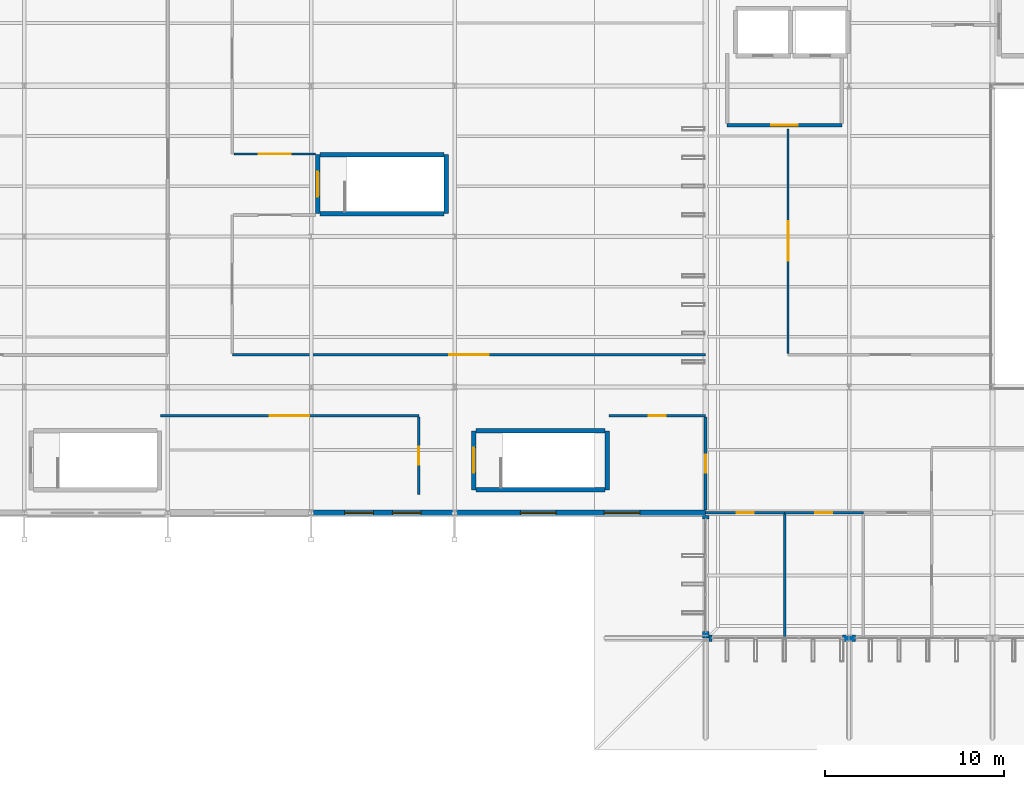
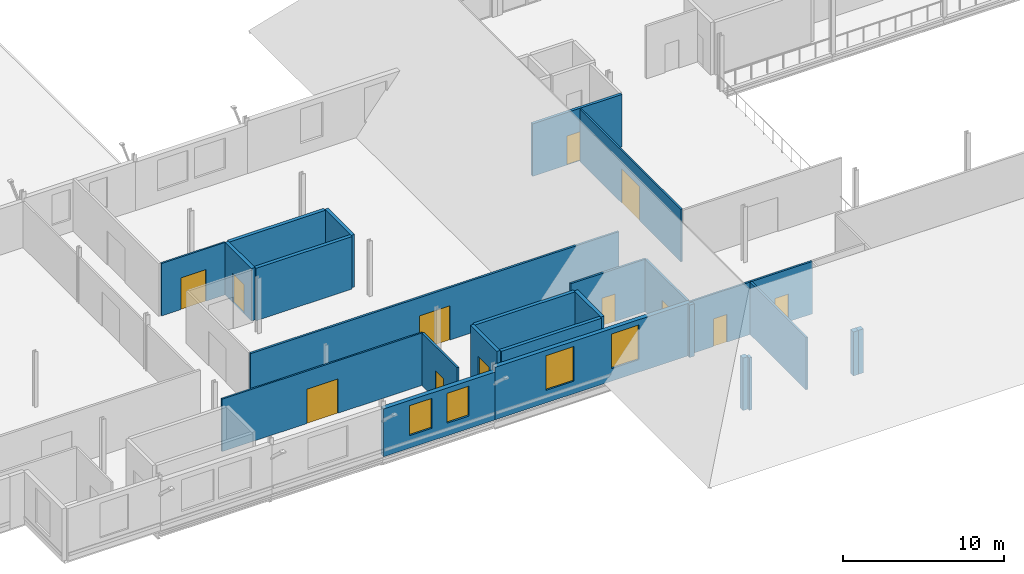
# One storey, part 80 of 93: 26 walls, 12 doors, 4 windows, 16 openings.
"""IFC4 building model written with IfcOpenShell, lengths in metres."""

from ifc_helpers import new_model, si_unit, direction, frame, frame_2d, origin, place, context, subcontext, project, spatial, rectangle, extrude, material, layer, layer_set, type_object, element, fill, save


model = new_model("IFC4")

# Units and contexts
model_context = context("Model", 3, precision=1e-05, world=origin(), true_north=direction((0.0, 1.0)))
body_context = subcontext(model_context, "Body", "Model", "MODEL_VIEW")
ifc_project = project(units=[si_unit("LENGTHUNIT", "METRE"), si_unit("AREAUNIT", "SQUARE_METRE"), si_unit("VOLUMEUNIT", "CUBIC_METRE"), si_unit("PLANEANGLEUNIT", "RADIAN"), si_unit("MASSUNIT", "GRAM", prefix="KILO")], contexts=[model_context])

# Site, building, storey
site_placement = place(None, origin())
site = spatial("IfcSite", under=ifc_project, at=site_placement, CompositionType="ELEMENT")
building_placement = place(site_placement, origin())
building = spatial("IfcBuilding", under=site, at=building_placement, Name="Vekula Escarpment Museum", CompositionType="ELEMENT")
storey_placement = place(building_placement, frame((0.0, 0.0, 22.199951171875)))
storey = spatial("IfcBuildingStorey", under=building, at=storey_placement, Name="L05", CompositionType="ELEMENT", Elevation=22.199951171875)

# Wall, openings, windows
ifc_material_1 = material(Name="Inkisi arkosic sandstone masonry", Category="masonry")
ifc_layer_1 = layer(ifc_material_1, 0.300048828125)
ifc_layer_set_1 = layer_set([ifc_layer_1], Name="Inkisi arkosic sandstone masonry")
wall_type_1 = type_object("IfcWallType", Name="WL-ALM-300", PredefinedType="SOLIDWALL", material=ifc_layer_set_1)
wall_1_placement = place(storey_placement, frame((70.0, 52.60009765625, 0.0), z_axis=(0.0, 0.0, 1.0), x_axis=(-1.0, 0.0, 0.0)))
wall_1 = element("IfcWall", 1, at=wall_1_placement, inside=storey, type_object=wall_type_1, Name="Exterior Wall WL-EXT-L05-0815", PredefinedType="SOLIDWALL", context=body_context, shape_type="SweptSolid", body=[
    extrude(rectangle(XDim=14.0, YDim=0.300048828125, at=frame_2d((7.0, 0.0))), origin(), (0.0, 0.0, 1.0), 3.97998046875),
])
opening_1_placement = place(wall_1_placement, frame((3.666748046875, 0.0, 0.949951171875)))
opening_1 = element("IfcOpeningElement", 2, at=opening_1_placement, cuts=wall_1, Name="Opening WN-03", PredefinedType="OPENING", context=body_context, shape_type="SweptSolid", body=[
    extrude(rectangle(XDim=2.0, YDim=2.6298828125, at=frame_2d((1.0, 1.31494140625))), frame((0.0, 0.159912109375, 0.0), z_axis=(0.0, -1.0, 0.0), x_axis=(1.0, 0.0, 0.0)), (0.0, 0.0, 1.0), 0.320068359375),
])
opening_2_placement = place(wall_1_placement, frame((8.333251953125, 0.0, 0.949951171875)))
opening_2 = element("IfcOpeningElement", 3, at=opening_2_placement, cuts=wall_1, Name="Opening WN-03", PredefinedType="OPENING", context=body_context, shape_type="SweptSolid", body=[
    extrude(rectangle(XDim=2.0, YDim=2.6298828125, at=frame_2d((1.0, 1.31494140625))), frame((0.0, 0.159912109375, 0.0), z_axis=(0.0, -1.0, 0.0), x_axis=(1.0, 0.0, 0.0)), (0.0, 0.0, 1.0), 0.320068359375),
])
ifc_material_2 = material(Name="Double solar-control low-E glass", Category="glass")
window_type_1 = type_object("IfcWindowType", Name="WN-PLINTH-20x36", PartitioningType="DOUBLE_PANEL_VERTICAL", PredefinedType="WINDOW", material=ifc_material_2)
window_1_placement = place(opening_1_placement, origin())
window_1 = element("IfcWindow", 4, at=window_1_placement, inside=storey, type_object=window_type_1, Name="Window L05-0453", OverallHeight=2.6298828125, OverallWidth=2.0, PartitioningType="SINGLE_PANEL", PredefinedType="WINDOW", context=body_context, shape_type="SweptSolid", body=[
    extrude(rectangle(XDim=2.0, YDim=2.6298828125, at=frame_2d((1.0, 1.31494140625))), frame((0.0, 0.030029296875, 0.0), z_axis=(0.0, -1.0, 0.0), x_axis=(1.0, 0.0, 0.0)), (0.0, 0.0, 1.0), 0.06005859375),
])
fill(opening_1, window_1)
window_2_placement = place(opening_2_placement, origin())
window_2 = element("IfcWindow", 5, at=window_2_placement, inside=storey, type_object=window_type_1, Name="Window L05-0454", OverallHeight=2.6298828125, OverallWidth=2.0, PartitioningType="SINGLE_PANEL", PredefinedType="WINDOW", context=body_context, shape_type="SweptSolid", body=[
    extrude(rectangle(XDim=2.0, YDim=2.6298828125, at=frame_2d((1.0, 1.31494140625))), frame((0.0, 0.030029296875, 0.0), z_axis=(0.0, -1.0, 0.0), x_axis=(1.0, 0.0, 0.0)), (0.0, 0.0, 1.0), 0.06005859375),
])
fill(opening_2, window_2)

ifc_material_3 = material(Name="Inkisi arkosic sandstone masonry", Category="masonry")
ifc_layer_2 = layer(ifc_material_3, 0.320068359375)
ifc_layer_set_2 = layer_set([ifc_layer_2], Name="Inkisi arkosic sandstone masonry")
wall_type_2 = type_object("IfcWallType", Name="WL-ALM-320", PredefinedType="SOLIDWALL", material=ifc_layer_set_2)
wall_2_placement = place(storey_placement, frame((56.0, 52.60009765625, 0.0), z_axis=(0.0, 0.0, 1.0), x_axis=(-1.0, 0.0, 0.0)))
wall_2 = element("IfcWall", 6, at=wall_2_placement, inside=storey, type_object=wall_type_2, Name="Exterior Wall WL-EXT-L05-0814", PredefinedType="SOLIDWALL", context=body_context, shape_type="SweptSolid", body=[
    extrude(rectangle(XDim=8.0, YDim=0.320068359375, at=frame_2d((4.0, 0.0))), origin(), (0.0, 0.0, 1.0), 3.625),
])
opening_3_placement = place(wall_2_placement, frame((1.86669921875, 0.0, 0.949951171875)))
opening_3 = element("IfcOpeningElement", 7, at=opening_3_placement, cuts=wall_2, Name="Opening WN-01", PredefinedType="OPENING", context=body_context, shape_type="SweptSolid", body=[
    extrude(rectangle(XDim=1.60009765625, YDim=2.27001953125, at=frame_2d((0.800048828125, 1.135009765625))), frame((0.0, 0.169921875, 0.0), z_axis=(0.0, -1.0, 0.0), x_axis=(1.0, 0.0, 0.0)), (0.0, 0.0, 1.0), 0.340087890625),
])
opening_4_placement = place(wall_2_placement, frame((4.533203125, 0.0, 0.949951171875)))
opening_4 = element("IfcOpeningElement", 8, at=opening_4_placement, cuts=wall_2, Name="Opening WN-01", PredefinedType="OPENING", context=body_context, shape_type="SweptSolid", body=[
    extrude(rectangle(XDim=1.60009765625, YDim=2.27001953125, at=frame_2d((0.800048828125, 1.135009765625))), frame((0.0, 0.169921875, 0.0), z_axis=(0.0, -1.0, 0.0), x_axis=(1.0, 0.0, 0.0)), (0.0, 0.0, 1.0), 0.340087890625),
])
ifc_material_4 = material(Name="Double solar-control low-E glass", Category="glass")
window_type_2 = type_object("IfcWindowType", Name="WN-PLINTH-16x28", PartitioningType="SINGLE_PANEL", PredefinedType="WINDOW", material=ifc_material_4)
window_3_placement = place(opening_3_placement, origin())
window_3 = element("IfcWindow", 9, at=window_3_placement, inside=storey, type_object=window_type_2, Name="Window L05-0451", OverallHeight=2.27001953125, OverallWidth=1.60009765625, PartitioningType="SINGLE_PANEL", PredefinedType="WINDOW", context=body_context, shape_type="SweptSolid", body=[
    extrude(rectangle(XDim=1.60009765625, YDim=2.27001953125, at=frame_2d((0.800048828125, 1.135009765625))), frame((0.0, 0.030029296875, 0.0), z_axis=(0.0, -1.0, 0.0), x_axis=(1.0, 0.0, 0.0)), (0.0, 0.0, 1.0), 0.06005859375),
])
fill(opening_3, window_3)
window_4_placement = place(opening_4_placement, origin())
window_4 = element("IfcWindow", 10, at=window_4_placement, inside=storey, type_object=window_type_2, Name="Window L05-0452", OverallHeight=2.27001953125, OverallWidth=1.60009765625, PartitioningType="SINGLE_PANEL", PredefinedType="WINDOW", context=body_context, shape_type="SweptSolid", body=[
    extrude(rectangle(XDim=1.60009765625, YDim=2.27001953125, at=frame_2d((0.800048828125, 1.135009765625))), frame((0.0, 0.030029296875, 0.0), z_axis=(0.0, -1.0, 0.0), x_axis=(1.0, 0.0, 0.0)), (0.0, 0.0, 1.0), 0.06005859375),
])
fill(opening_4, window_4)

# Walls
ifc_material_5 = material(Name="Inkisi arkosic sandstone masonry", Category="masonry")
ifc_layer_3 = layer(ifc_material_5, 0.35009765625)
ifc_layer_set_3 = layer_set([ifc_layer_3], Name="Inkisi arkosic sandstone masonry")
wall_type_3 = type_object("IfcWallType", Name="WL-ALM-350", PredefinedType="SOLIDWALL", material=ifc_layer_set_3)
wall_3_placement = place(storey_placement, frame((70.0, 52.446044921875, 0.0), z_axis=(0.0, 0.0, 1.0), x_axis=(0.0, -1.0, 0.0)))
element("IfcWall", 11, at=wall_3_placement, inside=storey, type_object=wall_type_3, Name="Facade Jamb Pier L05-0816A", PredefinedType="SOLIDWALL", context=body_context, shape_type="SweptSolid", body=[
    extrude(rectangle(XDim=0.2060546875, YDim=0.35009765625, at=frame_2d((0.10302734375, 0.0))), origin(), (0.0, 0.0, 1.0), 3.97998046875),
])
wall_4_placement = place(storey_placement, frame((70.0, 45.9599609375, 0.0), z_axis=(0.0, 0.0, 1.0), x_axis=(0.0, -1.0, 0.0)))
element("IfcWall", 12, at=wall_4_placement, inside=storey, type_object=wall_type_3, Name="Facade Jamb Pier L05-0817B", PredefinedType="SOLIDWALL", context=body_context, shape_type="SweptSolid", body=[
    extrude(rectangle(XDim=0.35986328125, YDim=0.35009765625, at=frame_2d((0.179931640625, 0.0))), origin(), (0.0, 0.0, 1.0), 3.97998046875),
])
wall_5_placement = place(storey_placement, frame((70.178955078125, 45.60009765625, 0.0), z_axis=(0.0, 0.0, 1.0), x_axis=(1.0, 0.0, 0.0)))
element("IfcWall", 13, at=wall_5_placement, inside=storey, type_object=wall_type_3, Name="Facade Jamb Pier L05-0818A", PredefinedType="SOLIDWALL", context=body_context, shape_type="SweptSolid", body=[
    extrude(rectangle(XDim=0.18115234375, YDim=0.35009765625, at=frame_2d((0.090576171875, 0.0))), origin(), (0.0, 0.0, 1.0), 3.97998046875),
])
for number, where, z_axis, x_axis, name in (
    (14, (77.639892578125, 45.60009765625, 0.0), (0.0, 0.0, 1.0), (1.0, 0.0, 0.0), "Facade Jamb Pier L05-0819B"),
    (15, (78.0, 45.60009765625, 0.0), (0.0, 0.0, 1.0), (1.0, 0.0, 0.0), "Facade Jamb Pier L05-0820A"),
):
    element("IfcWall", number, at=place(storey_placement, frame(where, z_axis=z_axis, x_axis=x_axis)), inside=storey, type_object=wall_type_3, Name=name, PredefinedType="SOLIDWALL", context=body_context, shape_type="SweptSolid", body=[
        extrude(rectangle(XDim=0.360107421875, YDim=0.35009765625, at=frame_2d((0.18017578125, 0.0))), origin(), (0.0, 0.0, 1.0), 3.3349609375),
    ])

# Wall, opening, door
ifc_material_6 = material(Name="Concrete C35/45", Category="concrete")
ifc_layer_4 = layer(ifc_material_6, 0.25)
ifc_layer_set_4 = layer_set([ifc_layer_4], Name="Concrete C35/45")
wall_type_4 = type_object("IfcWallType", Name="WL-CORE-250", PredefinedType="SHEAR", material=ifc_layer_set_4)
wall_6_placement = place(storey_placement, frame((57.074951171875, 53.875, 0.0), z_axis=(0.0, 0.0, 1.0), x_axis=(0.0, 1.0, 0.0)))
wall_6 = element("IfcWall", 16, at=wall_6_placement, inside=storey, type_object=wall_type_4, Name="Stair Core Wall ST-01 L05 W", PredefinedType="SHEAR", context=body_context, shape_type="SweptSolid", body=[
    extrude(rectangle(XDim=3.2900390625, YDim=0.25, at=frame_2d((1.64501953125, 0.0))), origin(), (0.0, 0.0, 1.0), 3.97998046875),
])
opening_5_placement = place(wall_6_placement, frame((0.945068359375, 0.0, 0.0)))
opening_5 = element("IfcOpeningElement", 17, at=opening_5_placement, cuts=wall_6, Name="Opening DR-FD60", PredefinedType="OPENING", context=body_context, shape_type="SweptSolid", body=[
    extrude(rectangle(XDim=1.39990234375, YDim=2.199951171875, at=frame_2d((0.699951171875, 1.10009765625))), frame((0.0, 0.135009765625, 0.0), z_axis=(0.0, -1.0, 0.0), x_axis=(1.0, 0.0, 0.0)), (0.0, 0.0, 1.0), 0.27001953125),
])
ifc_material_7 = material(Name="Fire-rated steel stair door", Category="steel")
door_type_1 = type_object("IfcDoorType", Name="DR-STAIR-1400x2200", OperationType="NOTDEFINED", PredefinedType="DOOR", material=ifc_material_7)
door_1_placement = place(opening_5_placement, origin())
door_1 = element("IfcDoor", 18, at=door_1_placement, inside=storey, type_object=door_type_1, Name="Protected Exit Stair Door ST-01 L05", OperationType="SINGLE_SWING_LEFT", OverallHeight=2.199951171875, OverallWidth=1.39990234375, PredefinedType="DOOR", context=body_context, shape_type="SweptSolid", body=[
    extrude(rectangle(XDim=1.39990234375, YDim=2.199951171875, at=frame_2d((0.699951171875, 1.10009765625))), frame((0.0, 0.02490234375, 0.0), z_axis=(0.0, -1.0, 0.0), x_axis=(1.0, 0.0, 0.0)), (0.0, 0.0, 1.0), 0.050048828125),
])
fill(opening_5, door_1)

# Walls
wall_7_placement = place(storey_placement, frame((64.52490234375, 53.875, 0.0), z_axis=(0.0, 0.0, 1.0), x_axis=(0.0, 1.0, 0.0)))
element("IfcWall", 19, at=wall_7_placement, inside=storey, type_object=wall_type_4, Name="Stair Core Wall ST-01 L05 E", PredefinedType="SHEAR", context=body_context, shape_type="SweptSolid", body=[
    extrude(rectangle(XDim=3.2900390625, YDim=0.25, at=frame_2d((1.64501953125, 0.0))), origin(), (0.0, 0.0, 1.0), 3.97998046875),
])
for number, where, z_axis, x_axis, name in (
    (20, (57.2041015625, 53.875, 0.0), (0.0, 0.0, 1.0), (1.0, 0.0, 0.0), "Stair Core Wall ST-01 L05 S"),
    (21, (57.2041015625, 57.1650390625, 0.0), (0.0, 0.0, 1.0), (1.0, 0.0, 0.0), "Stair Core Wall ST-01 L05 N"),
):
    element("IfcWall", number, at=place(storey_placement, frame(where, z_axis=z_axis, x_axis=x_axis)), inside=storey, type_object=wall_type_4, Name=name, PredefinedType="SHEAR", context=body_context, shape_type="SweptSolid", body=[
        extrude(rectangle(XDim=7.19189453125, YDim=0.25, at=frame_2d((3.595947265625, 0.0))), origin(), (0.0, 0.0, 1.0), 3.97998046875),
    ])

# Wall, opening, door
wall_8_placement = place(storey_placement, frame((48.375, 69.27490234375, 0.0), z_axis=(0.0, 0.0, 1.0), x_axis=(0.0, 1.0, 0.0)))
wall_8 = element("IfcWall", 22, at=wall_8_placement, inside=storey, type_object=wall_type_4, Name="Stair Core Wall ST-10 L05 W", PredefinedType="SHEAR", context=body_context, shape_type="SweptSolid", body=[
    extrude(rectangle(XDim=3.2900390625, YDim=0.25, at=frame_2d((1.64501953125, 0.0))), origin(), (0.0, 0.0, 1.0), 3.97998046875),
])
opening_6_placement = place(wall_8_placement, frame((0.945068359375, 0.0, 0.0)))
opening_6 = element("IfcOpeningElement", 23, at=opening_6_placement, cuts=wall_8, Name="Opening DR-FD60", PredefinedType="OPENING", context=body_context, shape_type="SweptSolid", body=[
    extrude(rectangle(XDim=1.39990234375, YDim=2.199951171875, at=frame_2d((0.699951171875, 1.10009765625))), frame((0.0, 0.135009765625, 0.0), z_axis=(0.0, -1.0, 0.0), x_axis=(1.0, 0.0, 0.0)), (0.0, 0.0, 1.0), 0.27001953125),
])
door_2_placement = place(opening_6_placement, origin())
door_2 = element("IfcDoor", 24, at=door_2_placement, inside=storey, type_object=door_type_1, Name="Protected Exit Stair Door ST-10 L05", OperationType="SINGLE_SWING_LEFT", OverallHeight=2.199951171875, OverallWidth=1.39990234375, PredefinedType="DOOR", context=body_context, shape_type="SweptSolid", body=[
    extrude(rectangle(XDim=1.39990234375, YDim=2.199951171875, at=frame_2d((0.699951171875, 1.10009765625))), frame((0.0, 0.02490234375, 0.0), z_axis=(0.0, -1.0, 0.0), x_axis=(1.0, 0.0, 0.0)), (0.0, 0.0, 1.0), 0.050048828125),
])
fill(opening_6, door_2)

# Walls
wall_9_placement = place(storey_placement, frame((55.52490234375, 69.27490234375, 0.0), z_axis=(0.0, 0.0, 1.0), x_axis=(0.0, 1.0, 0.0)))
element("IfcWall", 25, at=wall_9_placement, inside=storey, type_object=wall_type_4, Name="Stair Core Wall ST-10 L05 E", PredefinedType="SHEAR", context=body_context, shape_type="SweptSolid", body=[
    extrude(rectangle(XDim=3.2900390625, YDim=0.25, at=frame_2d((1.64501953125, 0.0))), origin(), (0.0, 0.0, 1.0), 3.97998046875),
])
for number, where, z_axis, x_axis, name in (
    (26, (48.50390625, 69.27490234375, 0.0), (0.0, 0.0, 1.0), (1.0, 0.0, 0.0), "Stair Core Wall ST-10 L05 S"),
    (27, (48.50390625, 72.56494140625, 0.0), (0.0, 0.0, 1.0), (1.0, 0.0, 0.0), "Stair Core Wall ST-10 L05 N"),
):
    element("IfcWall", number, at=place(storey_placement, frame(where, z_axis=z_axis, x_axis=x_axis)), inside=storey, type_object=wall_type_4, Name=name, PredefinedType="SHEAR", context=body_context, shape_type="SweptSolid", body=[
        extrude(rectangle(XDim=6.89208984375, YDim=0.25, at=frame_2d((3.446044921875, 0.0))), origin(), (0.0, 0.0, 1.0), 3.97998046875),
    ])

# Wall, opening, door
ifc_material_8 = material(Name="Concrete C35/45", Category="concrete")
ifc_layer_5 = layer(ifc_material_8, 0.199951171875)
ifc_layer_set_5 = layer_set([ifc_layer_5], Name="Concrete C35/45")
wall_type_5 = type_object("IfcWallType", Name="WL-FFL-200", PredefinedType="PARTITIONING", material=ifc_layer_set_5)
wall_10_placement = place(storey_placement, frame((71.199951171875, 74.199951171875, 0.0), z_axis=(0.0, 0.0, 1.0), x_axis=(1.0, 0.0, 0.0)))
wall_10 = element("IfcWall", 28, at=wall_10_placement, inside=storey, type_object=wall_type_5, Name="Lift Lobby Wall LP-01 L05 S", PredefinedType="PARTITIONING", context=body_context, shape_type="SweptSolid", body=[
    extrude(rectangle(XDim=6.400146484375, YDim=0.199951171875, at=frame_2d((3.2001953125, 0.0))), origin(), (0.0, 0.0, 1.0), 3.97998046875),
])
opening_7_placement = place(wall_10_placement, frame((2.449951171875, 0.0, 0.0)))
opening_7 = element("IfcOpeningElement", 29, at=opening_7_placement, cuts=wall_10, Name="Opening DR-FD60L", PredefinedType="OPENING", context=body_context, shape_type="SweptSolid", body=[
    extrude(rectangle(XDim=1.5, YDim=2.199951171875, at=frame_2d((0.75, 1.10009765625))), frame((0.0, 0.10986328125, 0.0), z_axis=(0.0, -1.0, 0.0), x_axis=(1.0, 0.0, 0.0)), (0.0, 0.0, 1.0), 0.219970703125),
])
ifc_material_9 = material(Name="Fire-rated glazed lobby door", Category="steel")
door_type_2 = type_object("IfcDoorType", Name="DR-FFLOB-1500x2200", OperationType="NOTDEFINED", PredefinedType="DOOR", material=ifc_material_9)
door_3_placement = place(opening_7_placement, origin())
door_3 = element("IfcDoor", 30, at=door_3_placement, inside=storey, type_object=door_type_2, Name="Lift Lobby Fire Door LP-01 L05", OperationType="SINGLE_SWING_LEFT", OverallHeight=2.199951171875, OverallWidth=1.5, PredefinedType="DOOR", context=body_context, shape_type="SweptSolid", body=[
    extrude(rectangle(XDim=1.5, YDim=2.199951171875, at=frame_2d((0.75, 1.10009765625))), frame((0.0, 0.02490234375, 0.0), z_axis=(0.0, -1.0, 0.0), x_axis=(1.0, 0.0, 0.0)), (0.0, 0.0, 1.0), 0.050048828125),
])
fill(opening_7, door_3)

ifc_material_10 = material(Name="Lightweight studio partition", Category="gypsum")
ifc_layer_6 = layer(ifc_material_10, 0.1201171875)
ifc_layer_set_6 = layer_set([ifc_layer_6], Name="Lightweight studio partition")
wall_type_6 = type_object("IfcWallType", Name="WL-PART-120", PredefinedType="PARTITIONING", material=ifc_layer_set_6)
wall_11_placement = place(storey_placement, frame((39.60009765625, 58.0, 0.0), z_axis=(0.0, 0.0, 1.0), x_axis=(1.0, 0.0, 0.0)))
wall_11 = element("IfcWall", 31, at=wall_11_placement, inside=storey, type_object=wall_type_6, Name="Interior Partition WL-INT-L05-0003", PredefinedType="PARTITIONING", context=body_context, shape_type="SweptSolid", body=[
    extrude(rectangle(XDim=14.39990234375, YDim=0.1201171875, at=frame_2d((7.199951171875, 0.0))), origin(), (0.0, 0.0, 1.0), 3.97998046875),
])
opening_8_placement = place(wall_11_placement, frame((6.10009765625, 0.0, 0.0)))
opening_8 = element("IfcOpeningElement", 32, at=opening_8_placement, cuts=wall_11, Name="Opening DR-GL22", PredefinedType="OPENING", context=body_context, shape_type="SweptSolid", body=[
    extrude(rectangle(XDim=2.199951171875, YDim=2.60009765625, at=frame_2d((1.10009765625, 1.300048828125))), frame((0.0, 0.070068359375, 0.0), z_axis=(0.0, -1.0, 0.0), x_axis=(1.0, 0.0, 0.0)), (0.0, 0.0, 1.0), 0.14013671875),
])
ifc_material_11 = material(Name="Double acoustic timber gallery door", Category="wood")
door_type_3 = type_object("IfcDoorType", Name="DR-GAL-2200x2600", OperationType="NOTDEFINED", PredefinedType="DOOR", material=ifc_material_11)
door_4_placement = place(opening_8_placement, origin())
door_4 = element("IfcDoor", 33, at=door_4_placement, inside=storey, type_object=door_type_3, Name="Interior Door L05-003", OperationType="SINGLE_SWING_LEFT", OverallHeight=2.60009765625, OverallWidth=2.199951171875, PredefinedType="DOOR", context=body_context, shape_type="SweptSolid", body=[
    extrude(rectangle(XDim=2.199951171875, YDim=2.60009765625, at=frame_2d((1.10009765625, 1.300048828125))), frame((0.0, 0.02490234375, 0.0), z_axis=(0.0, -1.0, 0.0), x_axis=(1.0, 0.0, 0.0)), (0.0, 0.0, 1.0), 0.050048828125),
])
fill(opening_8, door_4)

wall_12_placement = place(storey_placement, frame((43.68408203125, 72.60009765625, 0.0), z_axis=(0.0, 0.0, 1.0), x_axis=(1.0, 0.0, 0.0)))
wall_12 = element("IfcWall", 34, at=wall_12_placement, inside=storey, type_object=wall_type_6, Name="Interior Partition WL-INT-L05-0009", PredefinedType="PARTITIONING", context=body_context, shape_type="SweptSolid", body=[
    extrude(rectangle(XDim=4.56591796875, YDim=0.1201171875, at=frame_2d((2.282958984375, 0.0))), origin(), (0.0, 0.0, 1.0), 3.97998046875),
])
opening_9_placement = place(wall_12_placement, frame((1.383056640625, 0.0, 0.0)))
opening_9 = element("IfcOpeningElement", 35, at=opening_9_placement, cuts=wall_12, Name="Opening DR-GL18", PredefinedType="OPENING", context=body_context, shape_type="SweptSolid", body=[
    extrude(rectangle(XDim=1.800048828125, YDim=2.39990234375, at=frame_2d((0.89990234375, 1.199951171875))), frame((0.0, 0.070068359375, 0.0), z_axis=(0.0, -1.0, 0.0), x_axis=(1.0, 0.0, 0.0)), (0.0, 0.0, 1.0), 0.14013671875),
])
ifc_material_12 = material(Name="Double glazed gallery portal door", Category="steel")
door_type_4 = type_object("IfcDoorType", Name="DR-GAL-1800x2400", OperationType="NOTDEFINED", PredefinedType="DOOR", material=ifc_material_12)
door_5_placement = place(opening_9_placement, origin())
door_5 = element("IfcDoor", 36, at=door_5_placement, inside=storey, type_object=door_type_4, Name="Interior Door L05-009", OperationType="SINGLE_SWING_LEFT", OverallHeight=2.39990234375, OverallWidth=1.800048828125, PredefinedType="DOOR", context=body_context, shape_type="SweptSolid", body=[
    extrude(rectangle(XDim=1.800048828125, YDim=2.39990234375, at=frame_2d((0.89990234375, 1.199951171875))), frame((0.0, 0.02490234375, 0.0), z_axis=(0.0, -1.0, 0.0), x_axis=(1.0, 0.0, 0.0)), (0.0, 0.0, 1.0), 0.050048828125),
])
fill(opening_9, door_5)

wall_13_placement = place(storey_placement, frame((74.60009765625, 61.47900390625, 0.0), z_axis=(0.0, 0.0, 1.0), x_axis=(0.0, 1.0, 0.0)))
wall_13 = element("IfcWall", 37, at=wall_13_placement, inside=storey, type_object=wall_type_6, Name="Interior Partition WL-INT-L05-0015", PredefinedType="PARTITIONING", context=body_context, shape_type="SweptSolid", body=[
    extrude(rectangle(XDim=12.52099609375, YDim=0.1201171875, at=frame_2d((6.260498046875, 0.0))), origin(), (0.0, 0.0, 1.0), 3.97998046875),
])
opening_10_placement = place(wall_13_placement, frame((5.160400390625, 0.0, 0.0)))
opening_10 = element("IfcOpeningElement", 38, at=opening_10_placement, cuts=wall_13, Name="Opening DR-GL22", PredefinedType="OPENING", context=body_context, shape_type="SweptSolid", body=[
    extrude(rectangle(XDim=2.199951171875, YDim=2.60009765625, at=frame_2d((1.10009765625, 1.300048828125))), frame((0.0, 0.070068359375, 0.0), z_axis=(0.0, -1.0, 0.0), x_axis=(1.0, 0.0, 0.0)), (0.0, 0.0, 1.0), 0.14013671875),
])
door_6_placement = place(opening_10_placement, origin())
door_6 = element("IfcDoor", 39, at=door_6_placement, inside=storey, type_object=door_type_3, Name="Interior Door L05-015", OperationType="SINGLE_SWING_LEFT", OverallHeight=2.60009765625, OverallWidth=2.199951171875, PredefinedType="DOOR", context=body_context, shape_type="SweptSolid", body=[
    extrude(rectangle(XDim=2.199951171875, YDim=2.60009765625, at=frame_2d((1.10009765625, 1.300048828125))), frame((0.0, 0.02490234375, 0.0), z_axis=(0.0, -1.0, 0.0), x_axis=(1.0, 0.0, 0.0)), (0.0, 0.0, 1.0), 0.050048828125),
])
fill(opening_10, door_6)

ifc_material_13 = material(Name="Moisture-resistant wet-room partition", Category="gypsum")
ifc_layer_7 = layer(ifc_material_13, 0.139892578125)
ifc_layer_set_7 = layer_set([ifc_layer_7], Name="Moisture-resistant wet-room partition")
wall_type_7 = type_object("IfcWallType", Name="WL-PART-140", PredefinedType="PARTITIONING", material=ifc_layer_set_7)
wall_14_placement = place(storey_placement, frame((70.0, 52.60009765625, 0.0), z_axis=(0.0, 0.0, 1.0), x_axis=(1.0, 0.0, 0.0)))
wall_14 = element("IfcWall", 40, at=wall_14_placement, inside=storey, type_object=wall_type_7, Name="Interior Partition WL-INT-L05-0029", PredefinedType="PARTITIONING", context=body_context, shape_type="SweptSolid", body=[
    extrude(rectangle(XDim=4.39990234375, YDim=0.139892578125, at=frame_2d((2.199951171875, 0.0))), origin(), (0.0, 0.0, 1.0), 3.97998046875),
])
opening_11_placement = place(wall_14_placement, frame((1.72509765625, 0.0, 0.0)))
opening_11 = element("IfcOpeningElement", 41, at=opening_11_placement, cuts=wall_14, Name="Opening DR-WC09", PredefinedType="OPENING", context=body_context, shape_type="SweptSolid", body=[
    extrude(rectangle(XDim=0.949951171875, YDim=2.10009765625, at=frame_2d((0.47509765625, 1.050048828125))), frame((0.0, 0.079833984375, 0.0), z_axis=(0.0, -1.0, 0.0), x_axis=(1.0, 0.0, 0.0)), (0.0, 0.0, 1.0), 0.159912109375),
])
ifc_material_14 = material(Name="Laminate washroom door", Category="wood")
door_type_5 = type_object("IfcDoorType", Name="DR-WC-0950x2100", OperationType="NOTDEFINED", PredefinedType="DOOR", material=ifc_material_14)
door_7_placement = place(opening_11_placement, origin())
door_7 = element("IfcDoor", 42, at=door_7_placement, inside=storey, type_object=door_type_5, Name="Interior Door L05-029", OperationType="SINGLE_SWING_LEFT", OverallHeight=2.10009765625, OverallWidth=0.949951171875, PredefinedType="DOOR", context=body_context, shape_type="SweptSolid", body=[
    extrude(rectangle(XDim=0.949951171875, YDim=2.10009765625, at=frame_2d((0.47509765625, 1.050048828125))), frame((0.0, 0.02490234375, 0.0), z_axis=(0.0, -1.0, 0.0), x_axis=(1.0, 0.0, 0.0)), (0.0, 0.0, 1.0), 0.050048828125),
])
fill(opening_11, door_7)

wall_15_placement = place(storey_placement, frame((74.39990234375, 52.60009765625, 0.0), z_axis=(0.0, 0.0, 1.0), x_axis=(1.0, 0.0, 0.0)))
wall_15 = element("IfcWall", 43, at=wall_15_placement, inside=storey, type_object=wall_type_7, Name="Interior Partition WL-INT-L05-0030", PredefinedType="PARTITIONING", context=body_context, shape_type="SweptSolid", body=[
    extrude(rectangle(XDim=4.400146484375, YDim=0.139892578125, at=frame_2d((2.2001953125, 0.0))), origin(), (0.0, 0.0, 1.0), 3.97998046875),
])
opening_12_placement = place(wall_15_placement, frame((1.72509765625, 0.0, 0.0)))
opening_12 = element("IfcOpeningElement", 44, at=opening_12_placement, cuts=wall_15, Name="Opening DR-WC09", PredefinedType="OPENING", context=body_context, shape_type="SweptSolid", body=[
    extrude(rectangle(XDim=0.949951171875, YDim=2.10009765625, at=frame_2d((0.47509765625, 1.050048828125))), frame((0.0, 0.079833984375, 0.0), z_axis=(0.0, -1.0, 0.0), x_axis=(1.0, 0.0, 0.0)), (0.0, 0.0, 1.0), 0.159912109375),
])
door_8_placement = place(opening_12_placement, origin())
door_8 = element("IfcDoor", 45, at=door_8_placement, inside=storey, type_object=door_type_5, Name="Interior Door L05-030", OperationType="SINGLE_SWING_RIGHT", OverallHeight=2.10009765625, OverallWidth=0.949951171875, PredefinedType="DOOR", context=body_context, shape_type="SweptSolid", body=[
    extrude(rectangle(XDim=0.949951171875, YDim=2.10009765625, at=frame_2d((0.47509765625, 1.050048828125))), frame((0.0, 0.02490234375, 0.0), z_axis=(0.0, -1.0, 0.0), x_axis=(1.0, 0.0, 0.0)), (0.0, 0.0, 1.0), 0.050048828125),
])
fill(opening_12, door_8)

# Wall
wall_16_placement = place(storey_placement, frame((74.39990234375, 45.60009765625, 0.0), z_axis=(0.0, 0.0, 1.0), x_axis=(0.0, 1.0, 0.0)))
element("IfcWall", 46, at=wall_16_placement, inside=storey, type_object=wall_type_7, Name="Interior Partition WL-INT-L05-0032", PredefinedType="PARTITIONING", context=body_context, shape_type="SweptSolid", body=[
    extrude(rectangle(XDim=6.92578125, YDim=0.139892578125, at=frame_2d((3.462890625, 0.0))), origin(), (0.0, 0.0, 1.0), 3.97998046875),
])

# Wall, opening, door
ifc_material_15 = material(Name="Gypsum board dry-lined partition", Category="gypsum")
ifc_layer_8 = layer(ifc_material_15, 0.14990234375)
ifc_layer_set_8 = layer_set([ifc_layer_8], Name="Gypsum board dry-lined partition")
wall_type_8 = type_object("IfcWallType", Name="WL-PART-150", PredefinedType="PARTITIONING", material=ifc_layer_set_8)
wall_17_placement = place(storey_placement, frame((43.60009765625, 61.39990234375, 0.0), z_axis=(0.0, 0.0, 1.0), x_axis=(1.0, 0.0, 0.0)))
wall_17 = element("IfcWall", 47, at=wall_17_placement, inside=storey, type_object=wall_type_8, Name="Interior Partition WL-INT-L05-0002", PredefinedType="PARTITIONING", context=body_context, shape_type="SweptSolid", body=[
    extrude(rectangle(XDim=26.39990234375, YDim=0.14990234375, at=frame_2d((13.199951171875, 0.0))), origin(), (0.0, 0.0, 1.0), 3.97998046875),
])
opening_13_placement = place(wall_17_placement, frame((12.10009765625, 0.0, 0.0)))
opening_13 = element("IfcOpeningElement", 48, at=opening_13_placement, cuts=wall_17, Name="Opening DR-GL22", PredefinedType="OPENING", context=body_context, shape_type="SweptSolid", body=[
    extrude(rectangle(XDim=2.199951171875, YDim=2.60009765625, at=frame_2d((1.10009765625, 1.300048828125))), frame((0.0, 0.0849609375, 0.0), z_axis=(0.0, -1.0, 0.0), x_axis=(1.0, 0.0, 0.0)), (0.0, 0.0, 1.0), 0.169921875),
])
door_9_placement = place(opening_13_placement, origin())
door_9 = element("IfcDoor", 49, at=door_9_placement, inside=storey, type_object=door_type_3, Name="Interior Door L05-002", OperationType="SINGLE_SWING_RIGHT", OverallHeight=2.60009765625, OverallWidth=2.199951171875, PredefinedType="DOOR", context=body_context, shape_type="SweptSolid", body=[
    extrude(rectangle(XDim=2.199951171875, YDim=2.60009765625, at=frame_2d((1.10009765625, 1.300048828125))), frame((0.0, 0.02490234375, 0.0), z_axis=(0.0, -1.0, 0.0), x_axis=(1.0, 0.0, 0.0)), (0.0, 0.0, 1.0), 0.050048828125),
])
fill(opening_13, door_9)

wall_18_placement = place(storey_placement, frame((64.60009765625, 58.0, 0.0), z_axis=(0.0, 0.0, 1.0), x_axis=(1.0, 0.0, 0.0)))
wall_18 = element("IfcWall", 50, at=wall_18_placement, inside=storey, type_object=wall_type_8, Name="Interior Partition WL-INT-L05-0005", PredefinedType="PARTITIONING", context=body_context, shape_type="SweptSolid", body=[
    extrude(rectangle(XDim=5.39990234375, YDim=0.14990234375, at=frame_2d((2.699951171875, 0.0))), origin(), (0.0, 0.0, 1.0), 3.97998046875),
])
opening_14_placement = place(wall_18_placement, frame((2.22509765625, 0.0, 0.0)))
opening_14 = element("IfcOpeningElement", 51, at=opening_14_placement, cuts=wall_18, Name="Opening DR-OF09", PredefinedType="OPENING", context=body_context, shape_type="SweptSolid", body=[
    extrude(rectangle(XDim=0.949951171875, YDim=2.10009765625, at=frame_2d((0.47509765625, 1.050048828125))), frame((0.0, 0.0849609375, 0.0), z_axis=(0.0, -1.0, 0.0), x_axis=(1.0, 0.0, 0.0)), (0.0, 0.0, 1.0), 0.169921875),
])
ifc_material_16 = material(Name="Solid core timber office door", Category="wood")
door_type_6 = type_object("IfcDoorType", Name="DR-OFF-0950x2100", OperationType="NOTDEFINED", PredefinedType="DOOR", material=ifc_material_16)
door_10_placement = place(opening_14_placement, origin())
door_10 = element("IfcDoor", 52, at=door_10_placement, inside=storey, type_object=door_type_6, Name="Interior Door L05-005", OperationType="SINGLE_SWING_LEFT", OverallHeight=2.10009765625, OverallWidth=0.949951171875, PredefinedType="DOOR", context=body_context, shape_type="SweptSolid", body=[
    extrude(rectangle(XDim=0.949951171875, YDim=2.10009765625, at=frame_2d((0.47509765625, 1.050048828125))), frame((0.0, 0.02490234375, 0.0), z_axis=(0.0, -1.0, 0.0), x_axis=(1.0, 0.0, 0.0)), (0.0, 0.0, 1.0), 0.050048828125),
])
fill(opening_14, door_10)

wall_19_placement = place(storey_placement, frame((54.0, 53.60009765625, 0.0), z_axis=(0.0, 0.0, 1.0), x_axis=(0.0, 1.0, 0.0)))
wall_19 = element("IfcWall", 53, at=wall_19_placement, inside=storey, type_object=wall_type_8, Name="Interior Partition WL-INT-L05-0011", PredefinedType="PARTITIONING", context=body_context, shape_type="SweptSolid", body=[
    extrude(rectangle(XDim=4.3359375, YDim=0.14990234375, at=frame_2d((2.16796875, 0.0))), origin(), (0.0, 0.0, 1.0), 3.97998046875),
])
opening_15_placement = place(wall_19_placement, frame((1.66796875, 0.0, 0.0)))
opening_15 = element("IfcOpeningElement", 54, at=opening_15_placement, cuts=wall_19, Name="Opening DR-OF10", PredefinedType="OPENING", context=body_context, shape_type="SweptSolid", body=[
    extrude(rectangle(XDim=1.0, YDim=2.14990234375, at=frame_2d((0.5, 1.074951171875))), frame((0.0, 0.0849609375, 0.0), z_axis=(0.0, -1.0, 0.0), x_axis=(1.0, 0.0, 0.0)), (0.0, 0.0, 1.0), 0.169921875),
])
ifc_material_17 = material(Name="Solid core timber study door", Category="wood")
door_type_7 = type_object("IfcDoorType", Name="DR-OFF-1000x2150", OperationType="NOTDEFINED", PredefinedType="DOOR", material=ifc_material_17)
door_11_placement = place(opening_15_placement, origin())
door_11 = element("IfcDoor", 55, at=door_11_placement, inside=storey, type_object=door_type_7, Name="Interior Door L05-011", OperationType="SINGLE_SWING_LEFT", OverallHeight=2.14990234375, OverallWidth=1.0, PredefinedType="DOOR", context=body_context, shape_type="SweptSolid", body=[
    extrude(rectangle(XDim=1.0, YDim=2.14990234375, at=frame_2d((0.5, 1.074951171875))), frame((0.0, 0.02490234375, 0.0), z_axis=(0.0, -1.0, 0.0), x_axis=(1.0, 0.0, 0.0)), (0.0, 0.0, 1.0), 0.050048828125),
])
fill(opening_15, door_11)

ifc_material_18 = material(Name="Gypsum board gallery partition", Category="gypsum")
ifc_layer_9 = layer(ifc_material_18, 0.159912109375)
ifc_layer_set_9 = layer_set([ifc_layer_9], Name="Gypsum board gallery partition")
wall_type_9 = type_object("IfcWallType", Name="WL-PART-160", PredefinedType="PARTITIONING", material=ifc_layer_set_9)
wall_20_placement = place(storey_placement, frame((70.0, 52.75390625, 0.0), z_axis=(0.0, 0.0, 1.0), x_axis=(0.0, 1.0, 0.0)))
wall_20 = element("IfcWall", 56, at=wall_20_placement, inside=storey, type_object=wall_type_9, Name="Interior Partition WL-INT-L05-0013", PredefinedType="PARTITIONING", context=body_context, shape_type="SweptSolid", body=[
    extrude(rectangle(XDim=5.1669921875, YDim=0.159912109375, at=frame_2d((2.58349609375, 0.0))), origin(), (0.0, 0.0, 1.0), 3.97998046875),
])
opening_16_placement = place(wall_20_placement, frame((2.08349609375, 0.0, 0.0)))
opening_16 = element("IfcOpeningElement", 57, at=opening_16_placement, cuts=wall_20, Name="Opening DR-OF10", PredefinedType="OPENING", context=body_context, shape_type="SweptSolid", body=[
    extrude(rectangle(XDim=1.0, YDim=2.14990234375, at=frame_2d((0.5, 1.074951171875))), frame((0.0, 0.08984375, 0.0), z_axis=(0.0, -1.0, 0.0), x_axis=(1.0, 0.0, 0.0)), (0.0, 0.0, 1.0), 0.179931640625),
])
door_12_placement = place(opening_16_placement, origin())
door_12 = element("IfcDoor", 58, at=door_12_placement, inside=storey, type_object=door_type_7, Name="Interior Door L05-013", OperationType="SINGLE_SWING_LEFT", OverallHeight=2.14990234375, OverallWidth=1.0, PredefinedType="DOOR", context=body_context, shape_type="SweptSolid", body=[
    extrude(rectangle(XDim=1.0, YDim=2.14990234375, at=frame_2d((0.5, 1.074951171875))), frame((0.0, 0.02490234375, 0.0), z_axis=(0.0, -1.0, 0.0), x_axis=(1.0, 0.0, 0.0)), (0.0, 0.0, 1.0), 0.050048828125),
])
fill(opening_16, door_12)

save(model, "model.ifc")
